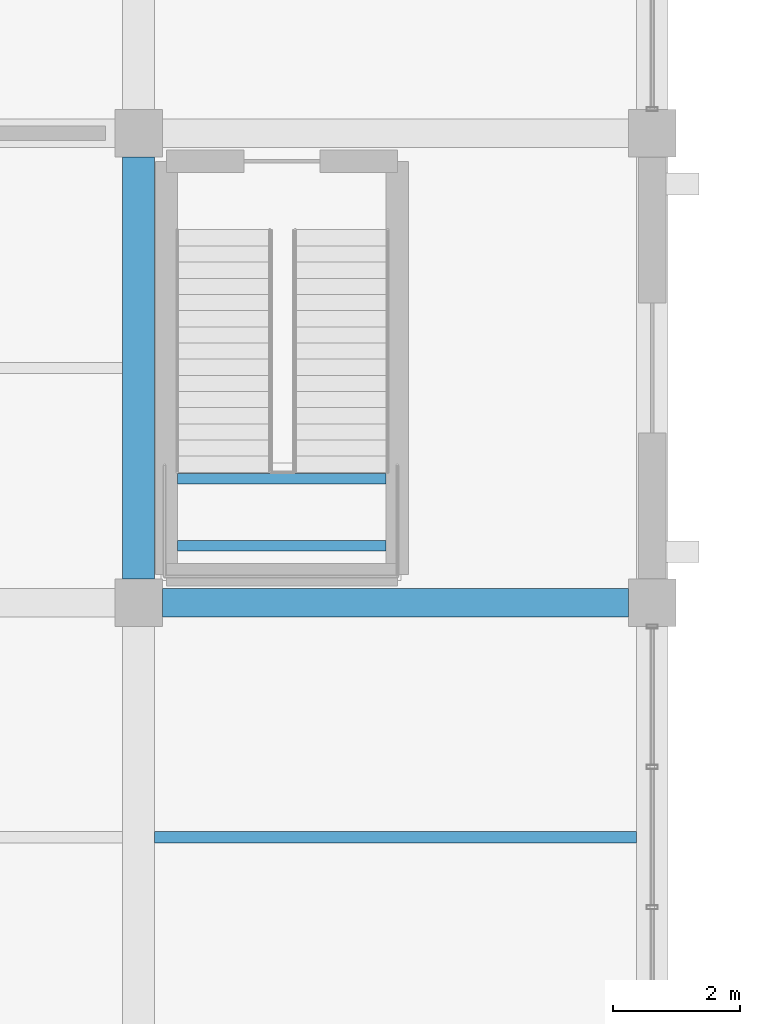
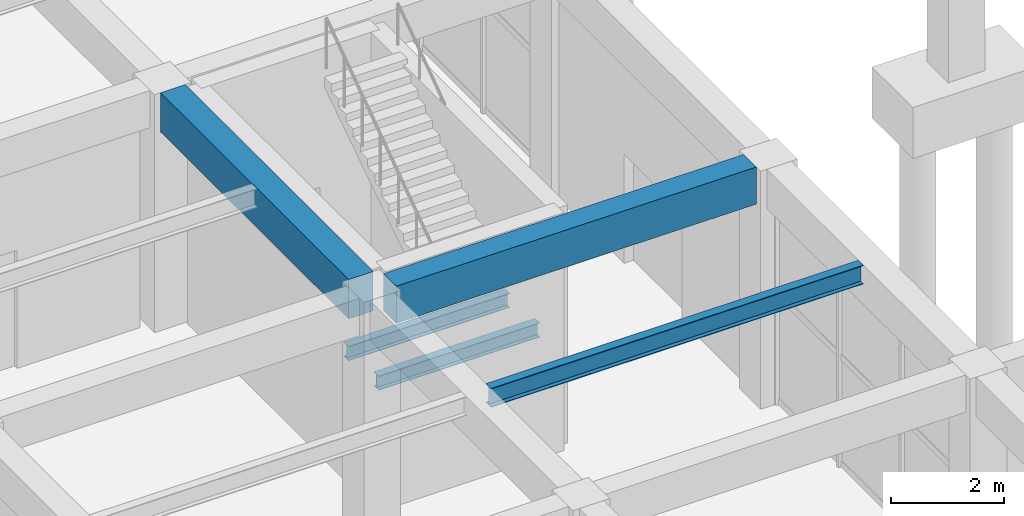
# One storey, part 23 of 140: 5 beams.
"""IFC4 building model written with IfcOpenShell, lengths in metres."""

import ifcopenshell
import ifcopenshell.guid

model = None  # the IFC model being written
_history = None  # IfcOwnerHistory: only IFC2X3 demands one
_inside = {}  # id of a spatial element -> (the spatial element, [elements in it])
_under = {}  # id of a project, library or spatial element -> (it, [spatial elements below it])
_declared = {}  # id of a project -> (the project, [libraries it declares])
_typed = {}  # id of a type object -> (the type object, [elements of that type])
_made_of = {}  # id of a material, layer set ... -> (it, [elements and type objects made of it])


def new_model(schema):
    """Start an empty IFC model of exactly this schema.

    Asked for "IFC4X3", IfcOpenShell would pick the latest addendum, in which some entities
    have other attributes; the version numbers below select the first issue.
    IFC2X3 requires an IfcOwnerHistory on every rooted entity: one is made here for all.
    """
    global model, _history
    if schema == "IFC4X3":
        model = ifcopenshell.file(schema_version=(4, 3, 0, 0))
    else:
        model = ifcopenshell.file(schema=schema)
    _inside.clear()
    _under.clear()
    _declared.clear()
    _typed.clear()
    _made_of.clear()
    _history = None
    if model.schema == "IFC2X3":
        org = make("IfcOrganization", Name="unknown")
        user = make(
            "IfcPersonAndOrganization",
            ThePerson=make("IfcPerson", FamilyName="unknown"),
            TheOrganization=org,
        )
        app = make(
            "IfcApplication",
            ApplicationDeveloper=org,
            Version="unknown",
            ApplicationFullName="unknown",
            ApplicationIdentifier="unknown",
        )
        _history = make(
            "IfcOwnerHistory",
            OwningUser=user,
            OwningApplication=app,
            ChangeAction="ADDED",
            CreationDate=0,
        )
    return model


def make(cls, **values):
    """One entity of the class cls with the attributes given. An attribute that is None is left unset."""
    return model.create_entity(
        cls, **{name: value for name, value in values.items() if value is not None}
    )


def rooted(cls, **values):
    """An entity with a GlobalId (a new one), such as an element, a storey or a relation."""
    return make(cls, GlobalId=ifcopenshell.guid.new(), OwnerHistory=_history, **values)


def si_unit(unit_type, name, prefix=None):
    """IfcSIUnit, for example si_unit("LENGTHUNIT", "METRE", prefix="MILLI")."""
    return make("IfcSIUnit", UnitType=unit_type, Prefix=prefix, Name=name)


def assignment(units):
    """IfcUnitAssignment: the units of a project."""
    return None if units is None else make("IfcUnitAssignment", Units=units)


def point(xyz):
    """IfcCartesianPoint."""
    return None if xyz is None else make("IfcCartesianPoint", Coordinates=xyz)


def direction(xyz):
    """IfcDirection."""
    return None if xyz is None else make("IfcDirection", DirectionRatios=xyz)


def frame(location, z_axis=None, x_axis=None):
    """IfcAxis2Placement3D, a coordinate frame: its origin and axes. An axis left out is left unset."""
    return make(
        "IfcAxis2Placement3D",
        Location=point(location),
        Axis=direction(z_axis),
        RefDirection=direction(x_axis),
    )


def frame_2d(location, x_axis=None):
    """IfcAxis2Placement2D, a coordinate frame in the plane: its origin and x axis."""
    return make(
        "IfcAxis2Placement2D", Location=point(location), RefDirection=direction(x_axis)
    )


def origin():
    """The frame at (0, 0, 0) with its axes left unset."""
    return frame((0.0, 0.0, 0.0))


def origin_2d():
    """The frame at (0, 0) in the plane with its x axis left unset."""
    return frame_2d((0.0, 0.0))


def place(relative_to, where):
    """IfcLocalPlacement: puts the frame where relative to a parent placement (None: the world)."""
    return make(
        "IfcLocalPlacement", PlacementRelTo=relative_to, RelativePlacement=where
    )


def context(
    kind, dimensions, precision=None, world=None, true_north=None, identifier=None
):
    """IfcGeometricRepresentationContext, for example the 3D "Model" context."""
    return make(
        "IfcGeometricRepresentationContext",
        ContextIdentifier=identifier,
        ContextType=kind,
        CoordinateSpaceDimension=dimensions,
        Precision=precision,
        WorldCoordinateSystem=world,
        TrueNorth=true_north,
    )


def subcontext(parent, identifier, kind, view, scale=None):
    """IfcGeometricRepresentationSubContext, for example "Body" below "Model"."""
    return make(
        "IfcGeometricRepresentationSubContext",
        ContextIdentifier=identifier,
        ContextType=kind,
        ParentContext=parent,
        TargetScale=scale,
        TargetView=view,
    )


def project(units=None, contexts=None):
    """IfcProject with its units and contexts."""
    return rooted(
        "IfcProject",
        Name="project",
        RepresentationContexts=contexts,
        UnitsInContext=assignment(units),
    )


def spatial(cls, under=None, at=None, **own):
    """A site, building, storey or space (cls), placed at a placement, below another one or the project."""
    s = rooted(cls, ObjectPlacement=at, **own)
    if under is not None:
        _under.setdefault(under.id(), (under, []))[1].append(s)
    return s


def profile(cls, at=None, kind="AREA", **sizes):
    """A parametric profile (cls). Its sizes go by their IFC names, for example OverallWidth=200.0."""
    return make(cls, ProfileType=kind, Position=at, **sizes)


def rectangle(**sizes):
    """IfcRectangleProfileDef."""
    return profile("IfcRectangleProfileDef", **sizes)


def i_section(**sizes):
    """IfcIShapeProfileDef."""
    return profile("IfcIShapeProfileDef", **sizes)


def extrude(swept, where, along, depth):
    """IfcExtrudedAreaSolid: the profile swept, set in the frame where, extruded along a direction by depth."""
    return make(
        "IfcExtrudedAreaSolid",
        SweptArea=swept,
        Position=where,
        ExtrudedDirection=direction(along),
        Depth=depth,
    )


def shape(context_of_items, identifier, shape_type, items):
    """IfcShapeRepresentation: the items that make up one representation, for example the "Body"."""
    return make(
        "IfcShapeRepresentation",
        ContextOfItems=context_of_items,
        RepresentationIdentifier=identifier,
        RepresentationType=shape_type,
        Items=items,
    )


def material(Name=None, Category=None):
    """IfcMaterial."""
    return make("IfcMaterial", Name=Name, Category=Category)


def material_profile(
    of_material, cross_section, Name=None, Category=None, Priority=None
):
    """IfcMaterialProfile: a cross section and its material."""
    return make(
        "IfcMaterialProfile",
        Name=Name,
        Material=of_material,
        Profile=cross_section,
        Priority=Priority,
        Category=Category,
    )


def profile_set(profiles, Name=None, composite=None):
    """IfcMaterialProfileSet."""
    return make(
        "IfcMaterialProfileSet",
        Name=Name,
        MaterialProfiles=profiles,
        CompositeProfile=composite,
    )


def made_of(thing, what):
    """Note that an element or type object is made of a material, layer set ...; save() writes the relation."""
    if what is not None:
        _made_of.setdefault(what.id(), (what, []))[1].append(thing)
    return thing


def type_object(cls, material=None, **own):
    """A type object (cls), such as IfcWallType, which elements share."""
    return made_of(rooted(cls, **own), material)


def element(
    cls,
    number,
    at=None,
    inside=None,
    cuts=None,
    type_object=None,
    material=None,
    context=None,
    identifier="Body",
    shape_type=None,
    held_by="IfcProductDefinitionShape",
    body=None,
    shapes=None,
    **own,
):
    """One element of the class cls, such as IfcWall. Its Tag is "e" and its number.

    at: its placement. inside: the storey or other place that contains it. cuts: it is an
    opening in that element (IfcRelVoidsElement). A single representation is given by context,
    identifier, shape_type and body (its items); several are given by shapes. held_by: the class
    of the entity that holds the representations. save() writes the other relations.
    """
    e = rooted(cls, Tag="e%d" % number, ObjectPlacement=at, **own)
    if body is not None:
        shapes = [shape(context, identifier, shape_type, body)]
    if shapes is not None:
        e.Representation = make(held_by, Representations=shapes)
    if inside is not None:
        _inside.setdefault(inside.id(), (inside, []))[1].append(e)
    if cuts is not None:
        rooted(
            "IfcRelVoidsElement", RelatingBuildingElement=cuts, RelatedOpeningElement=e
        )
    if type_object is not None:
        _typed.setdefault(type_object.id(), (type_object, []))[1].append(e)
    return made_of(e, material)


def aggregate(whole, parts):
    """IfcRelAggregates: a whole, such as a stair, and the parts it consists of."""
    return rooted("IfcRelAggregates", RelatingObject=whole, RelatedObjects=parts)


def save(model, path):
    """Write the relations noted so far, then the file.

    IfcRelAggregates (storeys below a building ...), IfcRelContainedInSpatialStructure (elements
    in a storey), IfcRelDefinesByType, IfcRelAssociatesMaterial and IfcRelDeclares: one each for
    every whole, place, type object, material and project.
    """
    for whole, parts in _under.values():
        aggregate(whole, parts)
    for where, things in _inside.values():
        rooted(
            "IfcRelContainedInSpatialStructure",
            RelatedElements=things,
            RelatingStructure=where,
        )
    for kind, things in _typed.values():
        rooted("IfcRelDefinesByType", RelatedObjects=things, RelatingType=kind)
    for what, things in _made_of.values():
        rooted("IfcRelAssociatesMaterial", RelatedObjects=things, RelatingMaterial=what)
    for by, libraries in _declared.values():
        rooted("IfcRelDeclares", RelatingContext=by, RelatedDefinitions=libraries)
    model.write(path)


model = new_model("IFC4")

# Units and contexts
model_context = context("Model", 3, precision=1e-05, world=origin(), true_north=direction((0.0, 1.0)))
body_context = subcontext(model_context, "Body", "Model", "MODEL_VIEW")
ifc_project = project(units=[si_unit("LENGTHUNIT", "METRE"), si_unit("AREAUNIT", "SQUARE_METRE"), si_unit("VOLUMEUNIT", "CUBIC_METRE"), si_unit("PLANEANGLEUNIT", "RADIAN"), si_unit("MASSUNIT", "GRAM", prefix="KILO")], contexts=[model_context])

# Site, building, storey
site_placement = place(None, origin())
site = spatial("IfcSite", under=ifc_project, at=site_placement, CompositionType="ELEMENT")
building_placement = place(site_placement, origin())
building = spatial("IfcBuilding", under=site, at=building_placement, Name="Cimatlan Art Gallery", CompositionType="ELEMENT")
storey_placement = place(building_placement, origin())
storey = spatial("IfcBuildingStorey", under=building, at=storey_placement, Name="L00", CompositionType="ELEMENT", Elevation=0.0)

# Beams
ifc_material_1 = material(Name="Concrete C40/50", Category="concrete")
ifc_material_profile_1 = material_profile(ifc_material_1, rectangle(XDim=0.449951171875, YDim=0.800048828125, at=origin_2d()), Name="RC450X800")
ifc_profile_set_1 = profile_set([ifc_material_profile_1], Name="Concrete C40/50")
beam_type_1 = type_object("IfcBeamType", Name="BM-RC-450X800", PredefinedType="BEAM", material=ifc_profile_set_1)
beam_1_placement = place(storey_placement, frame((42.875, 53.5, 4.735107421875), z_axis=(1.0, 0.0, 0.0), x_axis=(0.0, 1.0, 0.0)))
element("IfcBeam", 1, at=beam_1_placement, inside=storey, type_object=beam_type_1, Name="BM-X-L00-05-07", PredefinedType="BEAM", context=body_context, shape_type="SweptSolid", body=[
    extrude(rectangle(XDim=0.449951171875, YDim=0.800048828125, at=origin_2d()), origin(), (0.0, 0.0, 1.0), 7.35009765625),
])
ifc_material_profile_2 = material_profile(ifc_material_1, rectangle(XDim=0.5, YDim=0.85009765625, at=origin_2d()), Name="RC500X850")
ifc_profile_set_2 = profile_set([ifc_material_profile_2], Name="Concrete C40/50")
beam_type_2 = type_object("IfcBeamType", Name="BM-RC-500X850", PredefinedType="BEAM", material=ifc_profile_set_2)
beam_2_placement = place(storey_placement, frame((42.5, 53.875, 4.7099609375), z_axis=(0.0, 1.0, 0.0), x_axis=(-1.0, 0.0, 0.0)))
element("IfcBeam", 2, at=beam_2_placement, inside=storey, type_object=beam_type_2, Name="BM-Y-L00-05-07", PredefinedType="BEAM", context=body_context, shape_type="SweptSolid", body=[
    extrude(rectangle(XDim=0.5, YDim=0.85009765625, at=origin_2d()), origin(), (0.0, 0.0, 1.0), 6.64990234375),
])
ifc_material_2 = material(Name="Steel ASTM A992 Grade 50", Category="steel")
ifc_material_profile_3 = material_profile(ifc_material_2, i_section(OverallWidth=0.1650390625, OverallDepth=0.31005859375, WebThickness=0.005859375, FlangeThickness=0.009765625, at=origin_2d()), Name="W12X26")
ifc_profile_set_3 = profile_set([ifc_material_profile_3], Name="Steel ASTM A992 Grade 50")
beam_type_3 = type_object("IfcBeamType", Name="BM-STL-W12X26", PredefinedType="JOIST", material=ifc_profile_set_3)
for number, where, z_axis, x_axis, name in (
    (3, (43.114990234375, 54.39990234375, 2.324951171875), (1.0, 0.0, 0.0), (0.0, 1.0, 0.0), "BM-STR-C8-L00-LH1"),
    (4, (43.114990234375, 55.455078125, 2.324951171875), (1.0, 0.0, 0.0), (0.0, 1.0, 0.0), "BM-STR-C8-L00-LH2"),
):
    element("IfcBeam", number, at=place(storey_placement, frame(where, z_axis=z_axis, x_axis=x_axis)), inside=storey, type_object=beam_type_3, Name=name, PredefinedType="JOIST", context=body_context, shape_type="SweptSolid", body=[
        extrude(i_section(OverallWidth=0.1650390625, OverallDepth=0.31005859375, WebThickness=0.005859375, FlangeThickness=0.009765625, at=origin_2d()), origin(), (0.0, 0.0, 1.0), 3.2900390625),
    ])
ifc_material_profile_4 = material_profile(ifc_material_2, i_section(OverallWidth=0.177978515625, OverallDepth=0.406982421875, WebThickness=0.0078125, FlangeThickness=0.0126953125, at=origin_2d()), Name="W16X40")
ifc_profile_set_4 = profile_set([ifc_material_profile_4], Name="Steel ASTM A992 Grade 50")
beam_type_4 = type_object("IfcBeamType", Name="BM-STL-W16X40", PredefinedType="JOIST", material=ifc_profile_set_4)
beam_3_placement = place(storey_placement, frame((42.75, 49.800048828125, 4.931396484375), z_axis=(1.0, 0.0, 0.0), x_axis=(0.0, 1.0, 0.0)))
element("IfcBeam", 5, at=beam_3_placement, inside=storey, type_object=beam_type_4, Name="JST-L00-05-06", PredefinedType="JOIST", context=body_context, shape_type="SweptSolid", body=[
    extrude(i_section(OverallWidth=0.177978515625, OverallDepth=0.406982421875, WebThickness=0.0078125, FlangeThickness=0.0126953125, at=origin_2d()), origin(), (0.0, 0.0, 1.0), 7.60009765625),
])

save(model, "model.ifc")
